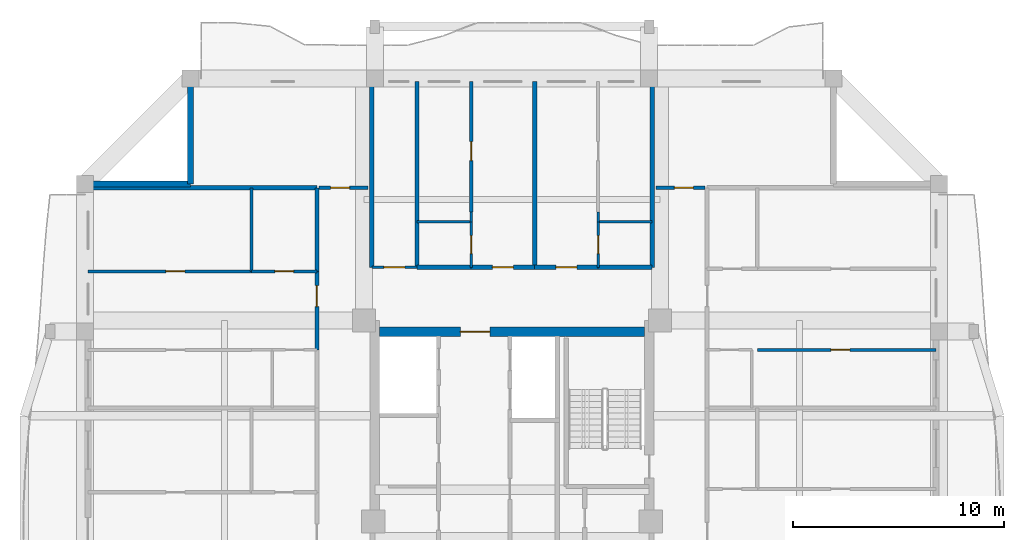
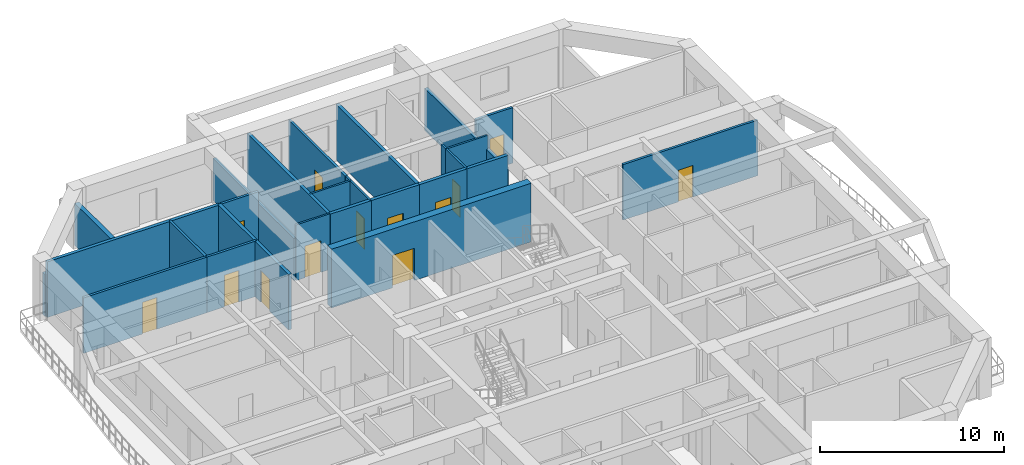
# One storey, part 6 of 13: 28 walls, 13 doors, 13 openings.
"""IFC4 building model written with IfcOpenShell, lengths in metres."""

from ifc_helpers import new_model, si_unit, direction, frame, frame_2d, origin, place, context, subcontext, project, spatial, rectangle, extrude, source, transform, mapped, material, layer, layer_set, type_object, element, fill, save


model = new_model("IFC4")

# Units and contexts
model_context = context("Model", 3, precision=1e-05, world=origin(), true_north=direction((0.0, 1.0)))
body_context = subcontext(model_context, "Body", "Model", "MODEL_VIEW")
ifc_project = project(units=[si_unit("LENGTHUNIT", "METRE"), si_unit("AREAUNIT", "SQUARE_METRE"), si_unit("VOLUMEUNIT", "CUBIC_METRE"), si_unit("PLANEANGLEUNIT", "RADIAN"), si_unit("MASSUNIT", "GRAM", prefix="KILO")], contexts=[model_context])

# Site, building, storey
site_placement = place(None, origin())
site = spatial("IfcSite", under=ifc_project, at=site_placement, CompositionType="ELEMENT")
building_placement = place(site_placement, origin())
building = spatial("IfcBuilding", under=site, at=building_placement, Name="Saelheon Loggia Tower", CompositionType="ELEMENT")
storey_placement = place(building_placement, frame((0.0, 0.0, 172.89990234375)))
storey = spatial("IfcBuildingStorey", under=building, at=storey_placement, Name="L54", CompositionType="ELEMENT", Elevation=172.89990234375)

# Wall, opening, door
ifc_material_1 = material(Name="Concrete C45/55", Category="concrete")
ifc_layer_1 = layer(ifc_material_1, 0.449951171875)
ifc_layer_set_1 = layer_set([ifc_layer_1], Name="Concrete C45/55")
wall_type_1 = type_object("IfcWallType", Name="Wall_CoreShear_450", PredefinedType="SHEAR", material=ifc_layer_set_1)
wall_1_placement = place(storey_placement, frame((31.72509765625, 36.0, 0.0), z_axis=(0.0, 0.0, 1.0), x_axis=(1.0, 0.0, 0.0)))
wall_1 = element("IfcWall", 1, at=wall_1_placement, inside=storey, type_object=wall_type_1, Name="L54 Core Shear Wall North", PredefinedType="SHEAR", context=body_context, shape_type="SweptSolid", body=[
    extrude(rectangle(XDim=12.5498046875, YDim=0.449951171875, at=frame_2d((6.27490234375, 0.0))), origin(), (0.0, 0.0, 1.0), 3.900146484375),
])
opening_1_placement = place(wall_1_placement, frame((5.224853515625, 0.0, 0.0), z_axis=(0.0, 0.0, 1.0), x_axis=(-1.0, 0.0, 0.0)))
opening_1 = element("IfcOpeningElement", 2, at=opening_1_placement, cuts=wall_1, Name="Opening D-FD2L", PredefinedType="OPENING", context=body_context, shape_type="SweptSolid", body=[
    extrude(rectangle(XDim=1.39990234375, YDim=2.14990234375, at=frame_2d((0.699951171875, 1.074951171875))), frame((0.0, 0.237060546875, 0.0), z_axis=(0.0, -1.0, 0.0), x_axis=(1.0, 0.0, 0.0)), (0.0, 0.0, 1.0), 0.473876953125),
])
ifc_material_2 = material(Name="Galvanised Steel Glazed Lobby Fire Door", Category="steel")
door_type_1 = type_object("IfcDoorType", Name="Door_Fire_FD60_1400", OperationType="NOTDEFINED", PredefinedType="DOOR", material=ifc_material_2)
shared_shape_1 = source(origin(), body_context, "Body", "SweptSolid", [
    extrude(rectangle(XDim=1.39990234375, YDim=2.14990234375, at=frame_2d((0.699951171875, 1.074951171875))), frame((0.0, 0.02490234375, 0.0), z_axis=(0.0, -1.0, 0.0), x_axis=(1.0, 0.0, 0.0)), (0.0, 0.0, 1.0), 0.050048828125),
])
door_1_placement = place(opening_1_placement, origin())
door_1 = element("IfcDoor", 3, at=door_1_placement, inside=storey, type_object=door_type_1, Name="L54 Passenger Lift Lobby Main Door", OperationType="SINGLE_SWING_RIGHT", OverallHeight=2.14990234375, OverallWidth=1.39990234375, PredefinedType="DOOR", context=body_context, shape_type="MappedRepresentation", body=[
    mapped(shared_shape_1, transform((0.0, 0.0, 0.0), scale=1.0)),
])
fill(opening_1, door_1)

# Walls
ifc_material_3 = material(Name="Architectural Precast Concrete C40/50", Category="concrete")
ifc_layer_2 = layer(ifc_material_3, 0.280029296875)
ifc_layer_set_2 = layer_set([ifc_layer_2], Name="Architectural Precast Concrete C40/50")
wall_type_2 = type_object("IfcWallType", Name="Wall_Ext_Loggia_280", PredefinedType="SOLIDWALL", material=ifc_layer_set_2)
for number, where, z_axis, x_axis, name in (
    (4, (22.75, 43.0, 0.0), (0.0, 0.0, 1.0), (0.0, 1.0, 0.0), "L54 Corner Notch Precast Wall NW1"),
    (5, (17.830078125, 43.0, 0.0), (0.0, 0.0, 1.0), (1.0, 0.0, 0.0), "L54 Corner Notch Precast Wall NW2"),
):
    element("IfcWall", number, at=place(storey_placement, frame(where, z_axis=z_axis, x_axis=x_axis)), inside=storey, type_object=wall_type_2, Name=name, PredefinedType="SOLIDWALL", context=body_context, shape_type="SweptSolid", body=[
        extrude(rectangle(XDim=4.919921875, YDim=0.280029296875, at=frame_2d((2.4599609375, 0.0))), origin(), (0.0, 0.0, 1.0), 2.7900390625),
    ])

# Wall, opening, door
ifc_material_4 = material(Name="Lightweight Autoclaved Aerated Concrete Block and Acoustic Gypsum", Category="concrete")
ifc_layer_3 = layer(ifc_material_4, 0.14990234375)
ifc_layer_set_3 = layer_set([ifc_layer_3], Name="Lightweight Autoclaved Aerated Concrete Block and Acoustic Gypsum")
wall_type_3 = type_object("IfcWallType", Name="Wall_Part_150", PredefinedType="PARTITIONING", material=ifc_layer_set_3)
wall_2_placement = place(storey_placement, frame((28.85009765625, 42.820068359375, 0.0), z_axis=(0.0, 0.0, 1.0), x_axis=(1.0, 0.0, 0.0)))
wall_2 = element("IfcWall", 6, at=wall_2_placement, inside=storey, type_object=wall_type_3, Name="PW-L54-CNW-H", PredefinedType="PARTITIONING", context=body_context, shape_type="SweptSolid", body=[
    extrude(rectangle(XDim=2.329833984375, YDim=0.14990234375, at=frame_2d((1.1650390625, 0.0))), origin(), (0.0, 0.0, 1.0), 3.690185546875),
])
opening_2_placement = place(wall_2_placement, frame((0.550048828125, 0.0, 0.0)))
opening_2 = element("IfcOpeningElement", 7, at=opening_2_placement, cuts=wall_2, Name="Opening D-IN2", PredefinedType="OPENING", context=body_context, shape_type="SweptSolid", body=[
    extrude(rectangle(XDim=0.89990234375, YDim=2.10009765625, at=frame_2d((0.449951171875, 1.050048828125))), frame((0.0, 0.0869140625, 0.0), z_axis=(0.0, -1.0, 0.0), x_axis=(1.0, 0.0, 0.0)), (0.0, 0.0, 1.0), 0.173828125),
])
ifc_material_5 = material(Name="Engineered Oak Flush Door", Category="timber")
door_type_2 = type_object("IfcDoorType", Name="Door_Int_900", OperationType="NOTDEFINED", PredefinedType="DOOR", material=ifc_material_5)
shared_shape_2 = source(origin(), body_context, "Body", "SweptSolid", [
    extrude(rectangle(XDim=0.89990234375, YDim=2.10009765625, at=frame_2d((0.449951171875, 1.050048828125))), frame((0.0, 0.02490234375, 0.0), z_axis=(0.0, -1.0, 0.0), x_axis=(1.0, 0.0, 0.0)), (0.0, 0.0, 1.0), 0.050048828125),
])
door_2_placement = place(opening_2_placement, origin())
door_2 = element("IfcDoor", 8, at=door_2_placement, inside=storey, type_object=door_type_2, Name="L54 Corner Home Office NW Door", OperationType="SINGLE_SWING_LEFT", OverallHeight=2.10009765625, OverallWidth=0.89990234375, PredefinedType="DOOR", context=body_context, shape_type="MappedRepresentation", body=[
    mapped(shared_shape_2, transform((0.0, 0.0, 0.0), scale=1.0)),
])
fill(opening_2, door_2)

wall_3_placement = place(storey_placement, frame((44.820068359375, 42.820068359375, 0.0), z_axis=(0.0, 0.0, 1.0), x_axis=(1.0, 0.0, 0.0)))
wall_3 = element("IfcWall", 9, at=wall_3_placement, inside=storey, type_object=wall_type_3, Name="PW-L54-CNE-H", PredefinedType="PARTITIONING", context=body_context, shape_type="SweptSolid", body=[
    extrude(rectangle(XDim=2.329833984375, YDim=0.14990234375, at=frame_2d((1.1650390625, 0.0))), origin(), (0.0, 0.0, 1.0), 3.690185546875),
])
opening_3_placement = place(wall_3_placement, frame((0.8798828125, 0.0, 0.0)))
opening_3 = element("IfcOpeningElement", 10, at=opening_3_placement, cuts=wall_3, Name="Opening D-IN2", PredefinedType="OPENING", context=body_context, shape_type="SweptSolid", body=[
    extrude(rectangle(XDim=0.89990234375, YDim=2.10009765625, at=frame_2d((0.449951171875, 1.050048828125))), frame((0.0, 0.0869140625, 0.0), z_axis=(0.0, -1.0, 0.0), x_axis=(1.0, 0.0, 0.0)), (0.0, 0.0, 1.0), 0.173828125),
])
door_3_placement = place(opening_3_placement, origin())
door_3 = element("IfcDoor", 11, at=door_3_placement, inside=storey, type_object=door_type_2, Name="L54 Corner Reading Room NE Door", OperationType="SINGLE_SWING_LEFT", OverallHeight=2.10009765625, OverallWidth=0.89990234375, PredefinedType="DOOR", context=body_context, shape_type="MappedRepresentation", body=[
    mapped(shared_shape_2, transform((0.0, 0.0, 0.0), scale=1.0)),
])
fill(opening_3, door_3)

wall_4_placement = place(storey_placement, frame((36.064453125, 41.669921875, 0.0), z_axis=(0.0, 0.0, 1.0), x_axis=(0.0, 1.0, 0.0)))
wall_4 = element("IfcWall", 12, at=wall_4_placement, inside=storey, type_object=wall_type_3, Name="L54 N Partition U10", PredefinedType="PARTITIONING", context=body_context, shape_type="SweptSolid", body=[
    extrude(rectangle(XDim=6.18017578125, YDim=0.14990234375, at=frame_2d((3.090087890625, 0.0))), origin(), (0.0, 0.0, 1.0), 3.690185546875),
])
opening_4_placement = place(wall_4_placement, frame((2.43994140625, 0.0, 0.0)))
opening_4 = element("IfcOpeningElement", 13, at=opening_4_placement, cuts=wall_4, Name="Opening D-IN2", PredefinedType="OPENING", context=body_context, shape_type="SweptSolid", body=[
    extrude(rectangle(XDim=0.89990234375, YDim=2.10009765625, at=frame_2d((0.449951171875, 1.050048828125))), frame((0.0, 0.0869140625, 0.0), z_axis=(0.0, -1.0, 0.0), x_axis=(1.0, 0.0, 0.0)), (0.0, 0.0, 1.0), 0.173828125),
])
door_4_placement = place(opening_4_placement, origin())
door_4 = element("IfcDoor", 14, at=door_4_placement, inside=storey, type_object=door_type_2, Name="Unit U03 Kitchen Door", OperationType="SINGLE_SWING_LEFT", OverallHeight=2.10009765625, OverallWidth=0.89990234375, PredefinedType="DOOR", context=body_context, shape_type="MappedRepresentation", body=[
    mapped(shared_shape_2, transform((0.0, 0.0, 0.0), scale=1.0)),
])
fill(opening_4, door_4)

# Wall
wall_5_placement = place(storey_placement, frame((25.64990234375, 38.852294921875, 0.0), z_axis=(0.0, 0.0, 1.0), x_axis=(0.0, 1.0, 0.0)))
element("IfcWall", 15, at=wall_5_placement, inside=storey, type_object=wall_type_3, Name="L54 W Partition V29", PredefinedType="PARTITIONING", context=body_context, shape_type="SweptSolid", body=[
    extrude(rectangle(XDim=3.9677734375, YDim=0.14990234375, at=frame_2d((1.98388671875, 0.0))), origin(), (0.0, 0.0, 1.0), 3.690185546875),
])

# Wall, opening, door
wall_6_placement = place(storey_placement, frame((28.75, 38.852294921875, 0.0), z_axis=(0.0, 0.0, 1.0), x_axis=(-1.0, 0.0, 0.0)))
wall_6 = element("IfcWall", 16, at=wall_6_placement, inside=storey, type_object=wall_type_3, Name="L54 W Partition U33", PredefinedType="PARTITIONING", context=body_context, shape_type="SweptSolid", body=[
    extrude(rectangle(XDim=3.10009765625, YDim=0.14990234375, at=frame_2d((1.550048828125, 0.0))), origin(), (0.0, 0.0, 1.0), 3.690185546875),
])
opening_5_placement = place(wall_6_placement, frame((1.10009765625, 0.0, 0.0)))
opening_5 = element("IfcOpeningElement", 17, at=opening_5_placement, cuts=wall_6, Name="Opening D-IN2", PredefinedType="OPENING", context=body_context, shape_type="SweptSolid", body=[
    extrude(rectangle(XDim=0.89990234375, YDim=2.10009765625, at=frame_2d((0.449951171875, 1.050048828125))), frame((0.0, 0.0869140625, 0.0), z_axis=(0.0, -1.0, 0.0), x_axis=(1.0, 0.0, 0.0)), (0.0, 0.0, 1.0), 0.173828125),
])
door_5_placement = place(opening_5_placement, origin())
door_5 = element("IfcDoor", 18, at=door_5_placement, inside=storey, type_object=door_type_2, Name="Unit U07 Pantry Store Door", OperationType="SINGLE_SWING_RIGHT", OverallHeight=2.10009765625, OverallWidth=0.89990234375, PredefinedType="DOOR", context=body_context, shape_type="MappedRepresentation", body=[
    mapped(shared_shape_2, transform((0.0, 0.0, 0.0), scale=1.0)),
])
fill(opening_5, door_5)

wall_7_placement = place(storey_placement, frame((25.64990234375, 38.852294921875, 0.0), z_axis=(0.0, 0.0, 1.0), x_axis=(-1.0, 0.0, 0.0)))
wall_7 = element("IfcWall", 19, at=wall_7_placement, inside=storey, type_object=wall_type_3, Name="L54 W Partition U34", PredefinedType="PARTITIONING", context=body_context, shape_type="SweptSolid", body=[
    extrude(rectangle(XDim=7.75, YDim=0.14990234375, at=frame_2d((3.875, 0.0))), origin(), (0.0, 0.0, 1.0), 3.690185546875),
])
opening_6_placement = place(wall_7_placement, frame((3.15966796875, 0.0, 0.0)))
opening_6 = element("IfcOpeningElement", 20, at=opening_6_placement, cuts=wall_7, Name="Opening D-IN2", PredefinedType="OPENING", context=body_context, shape_type="SweptSolid", body=[
    extrude(rectangle(XDim=0.89990234375, YDim=2.10009765625, at=frame_2d((0.449951171875, 1.050048828125))), frame((0.0, 0.0869140625, 0.0), z_axis=(0.0, -1.0, 0.0), x_axis=(1.0, 0.0, 0.0)), (0.0, 0.0, 1.0), 0.173828125),
])
door_6_placement = place(opening_6_placement, origin())
door_6 = element("IfcDoor", 21, at=door_6_placement, inside=storey, type_object=door_type_2, Name="Unit U07 Bedroom 1 Door", OperationType="SINGLE_SWING_LEFT", OverallHeight=2.10009765625, OverallWidth=0.89990234375, PredefinedType="DOOR", context=body_context, shape_type="MappedRepresentation", body=[
    mapped(shared_shape_2, transform((0.0, 0.0, 0.0), scale=1.0)),
])
fill(opening_6, door_6)

wall_8_placement = place(storey_placement, frame((49.6298828125, 35.12890625, 0.0), z_axis=(0.0, 0.0, 1.0), x_axis=(1.0, 0.0, 0.0)))
wall_8 = element("IfcWall", 22, at=wall_8_placement, inside=storey, type_object=wall_type_3, Name="L54 E Partition U29", PredefinedType="PARTITIONING", context=body_context, shape_type="SweptSolid", body=[
    extrude(rectangle(XDim=8.47021484375, YDim=0.14990234375, at=frame_2d((4.235107421875, 0.0))), origin(), (0.0, 0.0, 1.0), 3.690185546875),
])
opening_7_placement = place(wall_8_placement, frame((3.489501953125, 0.0, 0.0)))
opening_7 = element("IfcOpeningElement", 23, at=opening_7_placement, cuts=wall_8, Name="Opening D-IN2", PredefinedType="OPENING", context=body_context, shape_type="SweptSolid", body=[
    extrude(rectangle(XDim=0.89990234375, YDim=2.10009765625, at=frame_2d((0.449951171875, 1.050048828125))), frame((0.0, 0.0869140625, 0.0), z_axis=(0.0, -1.0, 0.0), x_axis=(1.0, 0.0, 0.0)), (0.0, 0.0, 1.0), 0.173828125),
])
door_7_placement = place(opening_7_placement, origin())
door_7 = element("IfcDoor", 24, at=door_7_placement, inside=storey, type_object=door_type_2, Name="Unit U10 Kitchen Door", OperationType="SINGLE_SWING_RIGHT", OverallHeight=2.10009765625, OverallWidth=0.89990234375, PredefinedType="DOOR", context=body_context, shape_type="MappedRepresentation", body=[
    mapped(shared_shape_2, transform((0.0, 0.0, 0.0), scale=1.0)),
])
fill(opening_7, door_7)

# Walls
ifc_material_6 = material(Name="Double Acoustic Stud and Fireboard Partition", Category="gypsum")
ifc_layer_4 = layer(ifc_material_6, 0.199951171875)
ifc_layer_set_4 = layer_set([ifc_layer_4], Name="Double Acoustic Stud and Fireboard Partition")
wall_type_4 = type_object("IfcWallType", Name="Wall_Party_200", PredefinedType="PARTITIONING", material=ifc_layer_set_4)
for number, where, z_axis, x_axis, name in (
    (25, (31.35009765625, 39.050048828125, 0.0), (0.0, 0.0, 1.0), (0.0, 1.0, 0.0), "L54 N Partition U01"),
    (26, (44.64990234375, 39.050048828125, 0.0), (0.0, 0.0, 1.0), (0.0, 1.0, 0.0), "L54 N Partition U02"),
):
    element("IfcWall", number, at=place(storey_placement, frame(where, z_axis=z_axis, x_axis=x_axis)), inside=storey, type_object=wall_type_4, Name=name, PredefinedType="PARTITIONING", context=body_context, shape_type="SweptSolid", body=[
        extrude(rectangle(XDim=8.800048828125, YDim=0.199951171875, at=frame_2d((4.39990234375, 0.0))), origin(), (0.0, 0.0, 1.0), 2.7900390625),
    ])
wall_9_placement = place(storey_placement, frame((33.5, 39.050048828125, 0.0), z_axis=(0.0, 0.0, 1.0), x_axis=(0.0, 1.0, 0.0)))
element("IfcWall", 27, at=wall_9_placement, inside=storey, type_object=wall_type_4, Name="L54 N Partition U03", PredefinedType="PARTITIONING", context=body_context, shape_type="SweptSolid", body=[
    extrude(rectangle(XDim=8.800048828125, YDim=0.199951171875, at=frame_2d((4.39990234375, 0.0))), origin(), (0.0, 0.0, 1.0), 3.690185546875),
])
wall_10_placement = place(storey_placement, frame((33.5, 39.050048828125, 0.0), z_axis=(0.0, 0.0, 1.0), x_axis=(1.0, 0.0, 0.0)))
element("IfcWall", 28, at=wall_10_placement, inside=storey, type_object=wall_type_4, Name="L54 N Partition V05", PredefinedType="PARTITIONING", context=body_context, shape_type="SweptSolid", body=[
    extrude(rectangle(XDim=2.564453125, YDim=0.199951171875, at=frame_2d((1.2822265625, 0.0))), origin(), (0.0, 0.0, 1.0), 3.690185546875),
])

# Wall, opening, door
wall_11_placement = place(storey_placement, frame((36.064453125, 39.050048828125, 0.0), z_axis=(0.0, 0.0, 1.0), x_axis=(1.0, 0.0, 0.0)))
wall_11 = element("IfcWall", 29, at=wall_11_placement, inside=storey, type_object=wall_type_4, Name="L54 N Partition V06", PredefinedType="PARTITIONING", context=body_context, shape_type="SweptSolid", body=[
    extrude(rectangle(XDim=3.010498046875, YDim=0.199951171875, at=frame_2d((1.50537109375, 0.0))), origin(), (0.0, 0.0, 1.0), 3.690185546875),
])
opening_8_placement = place(wall_11_placement, frame((1.00537109375, 0.0, 0.0)))
opening_8 = element("IfcOpeningElement", 30, at=opening_8_placement, cuts=wall_11, Name="Opening D-FD1", PredefinedType="OPENING", context=body_context, shape_type="SweptSolid", body=[
    extrude(rectangle(XDim=1.0, YDim=2.14990234375, at=frame_2d((0.5, 1.074951171875))), frame((0.0, 0.112060546875, 0.0), z_axis=(0.0, -1.0, 0.0), x_axis=(1.0, 0.0, 0.0)), (0.0, 0.0, 1.0), 0.223876953125),
])
ifc_material_7 = material(Name="Fire-Rated Engineered Timber Entrance Door", Category="wood")
door_type_3 = type_object("IfcDoorType", Name="Door_Flat_FD30S", OperationType="NOTDEFINED", PredefinedType="DOOR", material=ifc_material_7)
shared_shape_3 = source(origin(), body_context, "Body", "SweptSolid", [
    extrude(rectangle(XDim=1.0, YDim=2.14990234375, at=frame_2d((0.5, 1.074951171875))), frame((0.0, 0.02490234375, 0.0), z_axis=(0.0, -1.0, 0.0), x_axis=(1.0, 0.0, 0.0)), (0.0, 0.0, 1.0), 0.050048828125),
])
door_8_placement = place(opening_8_placement, origin())
door_8 = element("IfcDoor", 31, at=door_8_placement, inside=storey, type_object=door_type_3, Name="Unit U03 Entrance Door", OperationType="SINGLE_SWING_LEFT", OverallHeight=2.14990234375, OverallWidth=1.0, PredefinedType="DOOR", context=body_context, shape_type="MappedRepresentation", body=[
    mapped(shared_shape_3, transform((0.0, 0.0, 0.0), scale=1.0)),
])
fill(opening_8, door_8)

# Wall
wall_12_placement = place(storey_placement, frame((39.074951171875, 39.050048828125, 0.0), z_axis=(0.0, 0.0, 1.0), x_axis=(0.0, 1.0, 0.0)))
element("IfcWall", 32, at=wall_12_placement, inside=storey, type_object=wall_type_4, Name="L54 N Partition U11", PredefinedType="PARTITIONING", context=body_context, shape_type="SweptSolid", body=[
    extrude(rectangle(XDim=8.800048828125, YDim=0.199951171875, at=frame_2d((4.39990234375, 0.0))), origin(), (0.0, 0.0, 1.0), 3.690185546875),
])

# Wall, opening, door
wall_13_placement = place(storey_placement, frame((39.074951171875, 39.050048828125, 0.0), z_axis=(0.0, 0.0, 1.0), x_axis=(1.0, 0.0, 0.0)))
wall_13 = element("IfcWall", 33, at=wall_13_placement, inside=storey, type_object=wall_type_4, Name="L54 N Partition V12", PredefinedType="PARTITIONING", context=body_context, shape_type="SweptSolid", body=[
    extrude(rectangle(XDim=3.010498046875, YDim=0.199951171875, at=frame_2d((1.50537109375, 0.0))), origin(), (0.0, 0.0, 1.0), 3.690185546875),
])
opening_9_placement = place(wall_13_placement, frame((1.00537109375, 0.0, 0.0)))
opening_9 = element("IfcOpeningElement", 34, at=opening_9_placement, cuts=wall_13, Name="Opening D-FD1", PredefinedType="OPENING", context=body_context, shape_type="SweptSolid", body=[
    extrude(rectangle(XDim=1.0, YDim=2.14990234375, at=frame_2d((0.5, 1.074951171875))), frame((0.0, 0.112060546875, 0.0), z_axis=(0.0, -1.0, 0.0), x_axis=(1.0, 0.0, 0.0)), (0.0, 0.0, 1.0), 0.223876953125),
])
door_9_placement = place(opening_9_placement, origin())
door_9 = element("IfcDoor", 35, at=door_9_placement, inside=storey, type_object=door_type_3, Name="Unit U04 Entrance Door", OperationType="SINGLE_SWING_RIGHT", OverallHeight=2.14990234375, OverallWidth=1.0, PredefinedType="DOOR", context=body_context, shape_type="MappedRepresentation", body=[
    mapped(shared_shape_3, transform((0.0, 0.0, 0.0), scale=1.0)),
])
fill(opening_9, door_9)

# Walls
wall_14_placement = place(storey_placement, frame((42.08544921875, 39.050048828125, 0.0), z_axis=(0.0, 0.0, 1.0), x_axis=(1.0, 0.0, 0.0)))
element("IfcWall", 36, at=wall_14_placement, inside=storey, type_object=wall_type_4, Name="L54 N Partition V13", PredefinedType="PARTITIONING", context=body_context, shape_type="SweptSolid", body=[
    extrude(rectangle(XDim=2.564453125, YDim=0.199951171875, at=frame_2d((1.2822265625, 0.0))), origin(), (0.0, 0.0, 1.0), 3.690185546875),
])
wall_15_placement = place(storey_placement, frame((28.75, 42.820068359375, 0.0), z_axis=(0.0, 0.0, 1.0), x_axis=(-1.0, 0.0, 0.0)))
element("IfcWall", 37, at=wall_15_placement, inside=storey, type_object=wall_type_4, Name="L54 W Partition U02", PredefinedType="PARTITIONING", context=body_context, shape_type="SweptSolid", body=[
    extrude(rectangle(XDim=10.85009765625, YDim=0.199951171875, at=frame_2d((5.425048828125, 0.0))), origin(), (0.0, 0.0, 1.0), 3.690185546875),
])

# Wall, opening, door
wall_16_placement = place(storey_placement, frame((28.75, 35.12890625, 0.0), z_axis=(0.0, 0.0, 1.0), x_axis=(0.0, 1.0, 0.0)))
wall_16 = element("IfcWall", 38, at=wall_16_placement, inside=storey, type_object=wall_type_4, Name="L54 W Partition V26", PredefinedType="PARTITIONING", context=body_context, shape_type="SweptSolid", body=[
    extrude(rectangle(XDim=3.723388671875, YDim=0.199951171875, at=frame_2d((1.86181640625, 0.0))), origin(), (0.0, 0.0, 1.0), 3.690185546875),
])
opening_10_placement = place(wall_16_placement, frame((2.05029296875, 0.0, 0.0)))
opening_10 = element("IfcOpeningElement", 39, at=opening_10_placement, cuts=wall_16, Name="Opening D-FD1", PredefinedType="OPENING", context=body_context, shape_type="SweptSolid", body=[
    extrude(rectangle(XDim=1.0, YDim=2.14990234375, at=frame_2d((0.5, 1.074951171875))), frame((0.0, 0.112060546875, 0.0), z_axis=(0.0, -1.0, 0.0), x_axis=(1.0, 0.0, 0.0)), (0.0, 0.0, 1.0), 0.223876953125),
])
door_10_placement = place(opening_10_placement, origin())
door_10 = element("IfcDoor", 40, at=door_10_placement, inside=storey, type_object=door_type_3, Name="Unit U07 Entrance Door", OperationType="SINGLE_SWING_LEFT", OverallHeight=2.14990234375, OverallWidth=1.0, PredefinedType="DOOR", context=body_context, shape_type="MappedRepresentation", body=[
    mapped(shared_shape_3, transform((0.0, 0.0, 0.0), scale=1.0)),
])
fill(opening_10, door_10)

# Wall
wall_17_placement = place(storey_placement, frame((28.75, 38.852294921875, 0.0), z_axis=(0.0, 0.0, 1.0), x_axis=(0.0, 1.0, 0.0)))
element("IfcWall", 41, at=wall_17_placement, inside=storey, type_object=wall_type_4, Name="L54 W Partition V27", PredefinedType="PARTITIONING", context=body_context, shape_type="SweptSolid", body=[
    extrude(rectangle(XDim=3.9677734375, YDim=0.199951171875, at=frame_2d((1.98388671875, 0.0))), origin(), (0.0, 0.0, 1.0), 3.690185546875),
])

# Wall, opening, door
ifc_material_8 = material(Name="Moisture-Resistant Cement Board Partition", Category="gypsum")
ifc_layer_5 = layer(ifc_material_8, 0.1201171875)
ifc_layer_set_5 = layer_set([ifc_layer_5], Name="Moisture-Resistant Cement Board Partition")
wall_type_5 = type_object("IfcWallType", Name="Wall_WetPart_120", PredefinedType="PARTITIONING", material=ifc_layer_set_5)
wall_18_placement = place(storey_placement, frame((31.35009765625, 39.050048828125, 0.0), z_axis=(0.0, 0.0, 1.0), x_axis=(1.0, 0.0, 0.0)))
wall_18 = element("IfcWall", 42, at=wall_18_placement, inside=storey, type_object=wall_type_5, Name="L54 N Partition V04", PredefinedType="PARTITIONING", context=body_context, shape_type="SweptSolid", body=[
    extrude(rectangle(XDim=2.14990234375, YDim=0.1201171875, at=frame_2d((1.074951171875, 0.0))), origin(), (0.0, 0.0, 1.0), 3.690185546875),
])
opening_11_placement = place(wall_18_placement, frame((0.574951171875, 0.0, 0.0)))
opening_11 = element("IfcOpeningElement", 43, at=opening_11_placement, cuts=wall_18, Name="Opening D-AC1", PredefinedType="OPENING", context=body_context, shape_type="SweptSolid", body=[
    extrude(rectangle(XDim=1.0, YDim=2.10009765625, at=frame_2d((0.5, 1.050048828125))), frame((0.0, 0.072021484375, 0.0), z_axis=(0.0, -1.0, 0.0), x_axis=(1.0, 0.0, 0.0)), (0.0, 0.0, 1.0), 0.14404296875),
])
ifc_material_9 = material(Name="Accessible Laminate Flush Door", Category="timber")
door_type_4 = type_object("IfcDoorType", Name="Door_Acc_1000", OperationType="NOTDEFINED", PredefinedType="DOOR", material=ifc_material_9)
shared_shape_4 = source(origin(), body_context, "Body", "SweptSolid", [
    extrude(rectangle(XDim=1.0, YDim=2.10009765625, at=frame_2d((0.5, 1.050048828125))), frame((0.0, 0.02490234375, 0.0), z_axis=(0.0, -1.0, 0.0), x_axis=(1.0, 0.0, 0.0)), (0.0, 0.0, 1.0), 0.050048828125),
])
door_11_placement = place(opening_11_placement, origin())
door_11 = element("IfcDoor", 44, at=door_11_placement, inside=storey, type_object=door_type_4, Name="L54 Floor Accessible WC Door", OperationType="SINGLE_SWING_RIGHT", OverallHeight=2.10009765625, OverallWidth=1.0, PredefinedType="DOOR", context=body_context, shape_type="MappedRepresentation", body=[
    mapped(shared_shape_4, transform((0.0, 0.0, 0.0), scale=1.0)),
])
fill(opening_11, door_11)

wall_19_placement = place(storey_placement, frame((36.064453125, 39.050048828125, 0.0), z_axis=(0.0, 0.0, 1.0), x_axis=(0.0, 1.0, 0.0)))
wall_19 = element("IfcWall", 45, at=wall_19_placement, inside=storey, type_object=wall_type_5, Name="L54 N Partition U07", PredefinedType="PARTITIONING", context=body_context, shape_type="SweptSolid", body=[
    extrude(rectangle(XDim=2.14990234375, YDim=0.1201171875, at=frame_2d((1.074951171875, 0.0))), origin(), (0.0, 0.0, 1.0), 3.690185546875),
])
opening_12_placement = place(wall_19_placement, frame((0.64990234375, 0.0, 0.0)))
opening_12 = element("IfcOpeningElement", 46, at=opening_12_placement, cuts=wall_19, Name="Opening D-BT1", PredefinedType="OPENING", context=body_context, shape_type="SweptSolid", body=[
    extrude(rectangle(XDim=0.85009765625, YDim=2.050048828125, at=frame_2d((0.425048828125, 1.02490234375))), frame((0.0, 0.072021484375, 0.0), z_axis=(0.0, -1.0, 0.0), x_axis=(1.0, 0.0, 0.0)), (0.0, 0.0, 1.0), 0.14404296875),
])
ifc_material_10 = material(Name="Moisture-Resistant Laminate Timber Door", Category="wood")
door_type_5 = type_object("IfcDoorType", Name="Door_Bath_850", OperationType="NOTDEFINED", PredefinedType="DOOR", material=ifc_material_10)
shared_shape_5 = source(origin(), body_context, "Body", "SweptSolid", [
    extrude(rectangle(XDim=0.85009765625, YDim=2.050048828125, at=frame_2d((0.425048828125, 1.02490234375))), frame((0.0, 0.02490234375, 0.0), z_axis=(0.0, -1.0, 0.0), x_axis=(1.0, 0.0, 0.0)), (0.0, 0.0, 1.0), 0.050048828125),
])
door_12_placement = place(opening_12_placement, origin())
door_12 = element("IfcDoor", 47, at=door_12_placement, inside=storey, type_object=door_type_5, Name="Unit U03 Bathroom Door", OperationType="SINGLE_SWING_RIGHT", OverallHeight=2.050048828125, OverallWidth=0.85009765625, PredefinedType="DOOR", context=body_context, shape_type="MappedRepresentation", body=[
    mapped(shared_shape_5, transform((0.0, 0.0, 0.0), scale=1.0)),
])
fill(opening_12, door_12)

# Walls
wall_20_placement = place(storey_placement, frame((36.064453125, 41.199951171875, 0.0), z_axis=(0.0, 0.0, 1.0), x_axis=(0.0, 1.0, 0.0)))
element("IfcWall", 48, at=wall_20_placement, inside=storey, type_object=wall_type_5, Name="L54 N Partition U08", PredefinedType="PARTITIONING", context=body_context, shape_type="SweptSolid", body=[
    extrude(rectangle(XDim=0.469970703125, YDim=0.1201171875, at=frame_2d((0.23486328125, 0.0))), origin(), (0.0, 0.0, 1.0), 3.690185546875),
])
wall_21_placement = place(storey_placement, frame((33.5, 41.199951171875, 0.0), z_axis=(0.0, 0.0, 1.0), x_axis=(1.0, 0.0, 0.0)))
element("IfcWall", 49, at=wall_21_placement, inside=storey, type_object=wall_type_5, Name="L54 N Partition V09", PredefinedType="PARTITIONING", context=body_context, shape_type="SweptSolid", body=[
    extrude(rectangle(XDim=2.564453125, YDim=0.1201171875, at=frame_2d((1.2822265625, 0.0))), origin(), (0.0, 0.0, 1.0), 3.690185546875),
])

# Wall, opening, door
wall_22_placement = place(storey_placement, frame((42.08544921875, 39.050048828125, 0.0), z_axis=(0.0, 0.0, 1.0), x_axis=(0.0, 1.0, 0.0)))
wall_22 = element("IfcWall", 50, at=wall_22_placement, inside=storey, type_object=wall_type_5, Name="L54 N Partition U14", PredefinedType="PARTITIONING", context=body_context, shape_type="SweptSolid", body=[
    extrude(rectangle(XDim=2.14990234375, YDim=0.1201171875, at=frame_2d((1.074951171875, 0.0))), origin(), (0.0, 0.0, 1.0), 3.690185546875),
])
opening_13_placement = place(wall_22_placement, frame((0.64990234375, 0.0, 0.0)))
opening_13 = element("IfcOpeningElement", 51, at=opening_13_placement, cuts=wall_22, Name="Opening D-BT1", PredefinedType="OPENING", context=body_context, shape_type="SweptSolid", body=[
    extrude(rectangle(XDim=0.85009765625, YDim=2.050048828125, at=frame_2d((0.425048828125, 1.02490234375))), frame((0.0, 0.072021484375, 0.0), z_axis=(0.0, -1.0, 0.0), x_axis=(1.0, 0.0, 0.0)), (0.0, 0.0, 1.0), 0.14404296875),
])
door_13_placement = place(opening_13_placement, origin())
door_13 = element("IfcDoor", 52, at=door_13_placement, inside=storey, type_object=door_type_5, Name="Unit U04 Bathroom Door", OperationType="SINGLE_SWING_LEFT", OverallHeight=2.050048828125, OverallWidth=0.85009765625, PredefinedType="DOOR", context=body_context, shape_type="MappedRepresentation", body=[
    mapped(shared_shape_5, transform((0.0, 0.0, 0.0), scale=1.0)),
])
fill(opening_13, door_13)

# Walls
wall_23_placement = place(storey_placement, frame((42.08544921875, 41.199951171875, 0.0), z_axis=(0.0, 0.0, 1.0), x_axis=(0.0, 1.0, 0.0)))
element("IfcWall", 53, at=wall_23_placement, inside=storey, type_object=wall_type_5, Name="L54 N Partition U15", PredefinedType="PARTITIONING", context=body_context, shape_type="SweptSolid", body=[
    extrude(rectangle(XDim=0.469970703125, YDim=0.1201171875, at=frame_2d((0.23486328125, 0.0))), origin(), (0.0, 0.0, 1.0), 3.690185546875),
])
wall_24_placement = place(storey_placement, frame((42.08544921875, 41.199951171875, 0.0), z_axis=(0.0, 0.0, 1.0), x_axis=(1.0, 0.0, 0.0)))
element("IfcWall", 54, at=wall_24_placement, inside=storey, type_object=wall_type_5, Name="L54 N Partition V16", PredefinedType="PARTITIONING", context=body_context, shape_type="SweptSolid", body=[
    extrude(rectangle(XDim=2.564453125, YDim=0.1201171875, at=frame_2d((1.2822265625, 0.0))), origin(), (0.0, 0.0, 1.0), 3.690185546875),
])

save(model, "model.ifc")
